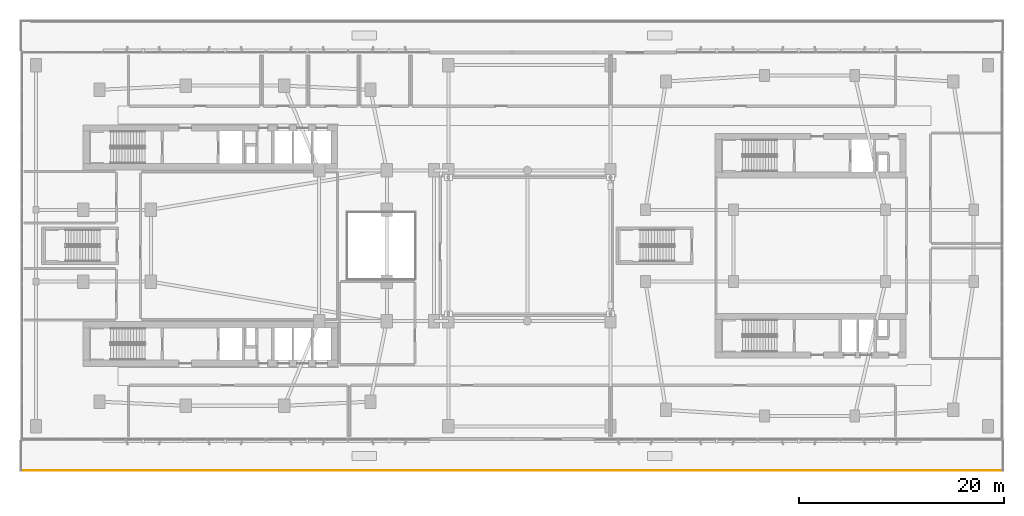
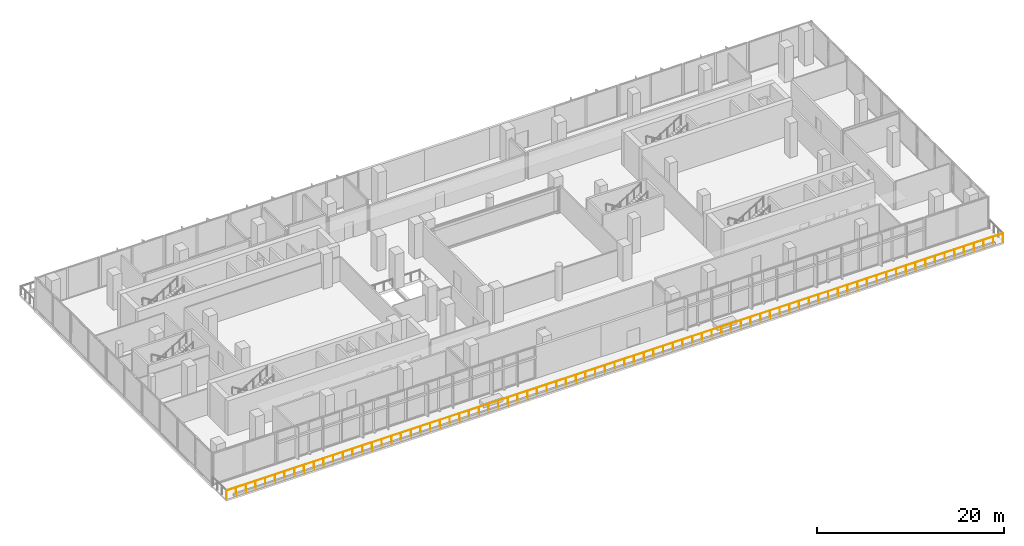
# One storey, part 23 of 31: 1 railing.
"""IFC4 building model written with IfcOpenShell, lengths in metres."""

import ifcopenshell
import ifcopenshell.guid

model = None  # the IFC model being written
_history = None  # IfcOwnerHistory: only IFC2X3 demands one
_inside = {}  # id of a spatial element -> (the spatial element, [elements in it])
_under = {}  # id of a project, library or spatial element -> (it, [spatial elements below it])
_declared = {}  # id of a project -> (the project, [libraries it declares])
_typed = {}  # id of a type object -> (the type object, [elements of that type])
_made_of = {}  # id of a material, layer set ... -> (it, [elements and type objects made of it])


def new_model(schema):
    """Start an empty IFC model of exactly this schema.

    Asked for "IFC4X3", IfcOpenShell would pick the latest addendum, in which some entities
    have other attributes; the version numbers below select the first issue.
    IFC2X3 requires an IfcOwnerHistory on every rooted entity: one is made here for all.
    """
    global model, _history
    if schema == "IFC4X3":
        model = ifcopenshell.file(schema_version=(4, 3, 0, 0))
    else:
        model = ifcopenshell.file(schema=schema)
    _inside.clear()
    _under.clear()
    _declared.clear()
    _typed.clear()
    _made_of.clear()
    _history = None
    if model.schema == "IFC2X3":
        org = make("IfcOrganization", Name="unknown")
        user = make(
            "IfcPersonAndOrganization",
            ThePerson=make("IfcPerson", FamilyName="unknown"),
            TheOrganization=org,
        )
        app = make(
            "IfcApplication",
            ApplicationDeveloper=org,
            Version="unknown",
            ApplicationFullName="unknown",
            ApplicationIdentifier="unknown",
        )
        _history = make(
            "IfcOwnerHistory",
            OwningUser=user,
            OwningApplication=app,
            ChangeAction="ADDED",
            CreationDate=0,
        )
    return model


def make(cls, **values):
    """One entity of the class cls with the attributes given. An attribute that is None is left unset."""
    return model.create_entity(
        cls, **{name: value for name, value in values.items() if value is not None}
    )


def rooted(cls, **values):
    """An entity with a GlobalId (a new one), such as an element, a storey or a relation."""
    return make(cls, GlobalId=ifcopenshell.guid.new(), OwnerHistory=_history, **values)


def si_unit(unit_type, name, prefix=None):
    """IfcSIUnit, for example si_unit("LENGTHUNIT", "METRE", prefix="MILLI")."""
    return make("IfcSIUnit", UnitType=unit_type, Prefix=prefix, Name=name)


def derived_unit(unit_type, elements):
    """IfcDerivedUnit: a product of units, each with its exponent."""
    return make(
        "IfcDerivedUnit",
        Elements=[
            make("IfcDerivedUnitElement", Unit=unit, Exponent=power)
            for unit, power in elements
        ],
        UnitType=unit_type,
    )


def assignment(units):
    """IfcUnitAssignment: the units of a project."""
    return None if units is None else make("IfcUnitAssignment", Units=units)


def point(xyz):
    """IfcCartesianPoint."""
    return None if xyz is None else make("IfcCartesianPoint", Coordinates=xyz)


def direction(xyz):
    """IfcDirection."""
    return None if xyz is None else make("IfcDirection", DirectionRatios=xyz)


def frame(location, z_axis=None, x_axis=None):
    """IfcAxis2Placement3D, a coordinate frame: its origin and axes. An axis left out is left unset."""
    return make(
        "IfcAxis2Placement3D",
        Location=point(location),
        Axis=direction(z_axis),
        RefDirection=direction(x_axis),
    )


def frame_2d(location, x_axis=None):
    """IfcAxis2Placement2D, a coordinate frame in the plane: its origin and x axis."""
    return make(
        "IfcAxis2Placement2D", Location=point(location), RefDirection=direction(x_axis)
    )


def origin():
    """The frame at (0, 0, 0) with its axes left unset."""
    return frame((0.0, 0.0, 0.0))


def origin_2d():
    """The frame at (0, 0) in the plane with its x axis left unset."""
    return frame_2d((0.0, 0.0))


def place(relative_to, where):
    """IfcLocalPlacement: puts the frame where relative to a parent placement (None: the world)."""
    return make(
        "IfcLocalPlacement", PlacementRelTo=relative_to, RelativePlacement=where
    )


def context(
    kind, dimensions, precision=None, world=None, true_north=None, identifier=None
):
    """IfcGeometricRepresentationContext, for example the 3D "Model" context."""
    return make(
        "IfcGeometricRepresentationContext",
        ContextIdentifier=identifier,
        ContextType=kind,
        CoordinateSpaceDimension=dimensions,
        Precision=precision,
        WorldCoordinateSystem=world,
        TrueNorth=true_north,
    )


def subcontext(parent, identifier, kind, view, scale=None):
    """IfcGeometricRepresentationSubContext, for example "Body" below "Model"."""
    return make(
        "IfcGeometricRepresentationSubContext",
        ContextIdentifier=identifier,
        ContextType=kind,
        ParentContext=parent,
        TargetScale=scale,
        TargetView=view,
    )


def project(units=None, contexts=None):
    """IfcProject with its units and contexts."""
    return rooted(
        "IfcProject",
        Name="project",
        RepresentationContexts=contexts,
        UnitsInContext=assignment(units),
    )


def spatial(cls, under=None, at=None, **own):
    """A site, building, storey or space (cls), placed at a placement, below another one or the project."""
    s = rooted(cls, ObjectPlacement=at, **own)
    if under is not None:
        _under.setdefault(under.id(), (under, []))[1].append(s)
    return s


def profile(cls, at=None, kind="AREA", **sizes):
    """A parametric profile (cls). Its sizes go by their IFC names, for example OverallWidth=200.0."""
    return make(cls, ProfileType=kind, Position=at, **sizes)


def circle(**sizes):
    """IfcCircleProfileDef."""
    return profile("IfcCircleProfileDef", **sizes)


def extrude(swept, where, along, depth):
    """IfcExtrudedAreaSolid: the profile swept, set in the frame where, extruded along a direction by depth."""
    return make(
        "IfcExtrudedAreaSolid",
        SweptArea=swept,
        Position=where,
        ExtrudedDirection=direction(along),
        Depth=depth,
    )


def shape(context_of_items, identifier, shape_type, items):
    """IfcShapeRepresentation: the items that make up one representation, for example the "Body"."""
    return make(
        "IfcShapeRepresentation",
        ContextOfItems=context_of_items,
        RepresentationIdentifier=identifier,
        RepresentationType=shape_type,
        Items=items,
    )


def material(Name=None, Category=None):
    """IfcMaterial."""
    return make("IfcMaterial", Name=Name, Category=Category)


def made_of(thing, what):
    """Note that an element or type object is made of a material, layer set ...; save() writes the relation."""
    if what is not None:
        _made_of.setdefault(what.id(), (what, []))[1].append(thing)
    return thing


def type_object(cls, material=None, **own):
    """A type object (cls), such as IfcWallType, which elements share."""
    return made_of(rooted(cls, **own), material)


def element(
    cls,
    number,
    at=None,
    inside=None,
    cuts=None,
    type_object=None,
    material=None,
    context=None,
    identifier="Body",
    shape_type=None,
    held_by="IfcProductDefinitionShape",
    body=None,
    shapes=None,
    **own,
):
    """One element of the class cls, such as IfcWall. Its Tag is "e" and its number.

    at: its placement. inside: the storey or other place that contains it. cuts: it is an
    opening in that element (IfcRelVoidsElement). A single representation is given by context,
    identifier, shape_type and body (its items); several are given by shapes. held_by: the class
    of the entity that holds the representations. save() writes the other relations.
    """
    e = rooted(cls, Tag="e%d" % number, ObjectPlacement=at, **own)
    if body is not None:
        shapes = [shape(context, identifier, shape_type, body)]
    if shapes is not None:
        e.Representation = make(held_by, Representations=shapes)
    if inside is not None:
        _inside.setdefault(inside.id(), (inside, []))[1].append(e)
    if cuts is not None:
        rooted(
            "IfcRelVoidsElement", RelatingBuildingElement=cuts, RelatedOpeningElement=e
        )
    if type_object is not None:
        _typed.setdefault(type_object.id(), (type_object, []))[1].append(e)
    return made_of(e, material)


def aggregate(whole, parts):
    """IfcRelAggregates: a whole, such as a stair, and the parts it consists of."""
    return rooted("IfcRelAggregates", RelatingObject=whole, RelatedObjects=parts)


def save(model, path):
    """Write the relations noted so far, then the file.

    IfcRelAggregates (storeys below a building ...), IfcRelContainedInSpatialStructure (elements
    in a storey), IfcRelDefinesByType, IfcRelAssociatesMaterial and IfcRelDeclares: one each for
    every whole, place, type object, material and project.
    """
    for whole, parts in _under.values():
        aggregate(whole, parts)
    for where, things in _inside.values():
        rooted(
            "IfcRelContainedInSpatialStructure",
            RelatedElements=things,
            RelatingStructure=where,
        )
    for kind, things in _typed.values():
        rooted("IfcRelDefinesByType", RelatedObjects=things, RelatingType=kind)
    for what, things in _made_of.values():
        rooted("IfcRelAssociatesMaterial", RelatedObjects=things, RelatingMaterial=what)
    for by, libraries in _declared.values():
        rooted("IfcRelDeclares", RelatingContext=by, RelatedDefinitions=libraries)
    model.write(path)


model = new_model("IFC4")

# Units and contexts
model_context = context("Model", 3, precision=1e-05, world=origin(), true_north=direction((0.0, 1.0)))
body_context = subcontext(model_context, "Body", "Model", "MODEL_VIEW")
ifc_project = project(units=[si_unit("LENGTHUNIT", "METRE"), si_unit("AREAUNIT", "SQUARE_METRE"), si_unit("VOLUMEUNIT", "CUBIC_METRE"), si_unit("PLANEANGLEUNIT", "RADIAN"), si_unit("MASSUNIT", "GRAM", prefix="KILO"), derived_unit("THERMALTRANSMITTANCEUNIT", [(si_unit("POWERUNIT", "WATT"), 1), (si_unit("LENGTHUNIT", "METRE"), -2), (si_unit("THERMODYNAMICTEMPERATUREUNIT", "KELVIN"), -1)])], contexts=[model_context])

# Site, building, storey
site_placement = place(None, origin())
site = spatial("IfcSite", under=ifc_project, at=site_placement, CompositionType="ELEMENT")
building_placement = place(site_placement, origin())
building = spatial("IfcBuilding", under=site, at=building_placement, Name="Kivonza Crest Hotel", CompositionType="ELEMENT")
storey_placement = place(building_placement, frame((0.0, 0.0, 15.0)))
storey = spatial("IfcBuildingStorey", under=building, at=storey_placement, Name="L03", CompositionType="ELEMENT", Elevation=15.0)

# Railing
ifc_material = material(Name="Laminated glass and stainless steel balustrade", Category="steel")
railing_type = type_object("IfcRailingType", Name="RL-TERR-1150", PredefinedType="BALUSTRADE", material=ifc_material)
railing_placement = place(storey_placement, frame((95.840087890625, 3.080078125, 0.0)))
element("IfcRailing", 1, at=railing_placement, inside=storey, type_object=railing_type, Name="L03 POD-L03-T1 perimeter safety balustrade 3", PredefinedType="BALUSTRADE", context=body_context, shape_type="SweptSolid", body=[
    extrude(circle(Radius=0.02392578125, at=origin_2d()), frame((0.0, 0.0, 1.1259765625), z_axis=(-1.0, 0.0, 0.0), x_axis=(0.0, -1.0, 0.0)), (0.0, 0.0, 1.0), 95.68017578125),
    extrude(circle(Radius=0.02099609375, at=origin_2d()), origin(), (0.0, 0.0, 1.0), 1.101806640625),
    extrude(circle(Radius=0.02099609375, at=origin_2d()), frame((-1.196044921875, 0.0, 0.0)), (0.0, 0.0, 1.0), 1.101806640625),
    extrude(circle(Radius=0.02099609375, at=origin_2d()), frame((-2.39208984375, 0.0, 0.0)), (0.0, 0.0, 1.0), 1.101806640625),
    extrude(circle(Radius=0.02099609375, at=origin_2d()), frame((-3.587890625, 0.0, 0.0)), (0.0, 0.0, 1.0), 1.101806640625),
    extrude(circle(Radius=0.02099609375, at=origin_2d()), frame((-4.783935546875, 0.0, 0.0)), (0.0, 0.0, 1.0), 1.101806640625),
    extrude(circle(Radius=0.02099609375, at=origin_2d()), frame((-5.97998046875, 0.0, 0.0)), (0.0, 0.0, 1.0), 1.101806640625),
    extrude(circle(Radius=0.02099609375, at=origin_2d()), frame((-7.176025390625, 0.0, 0.0)), (0.0, 0.0, 1.0), 1.101806640625),
    extrude(circle(Radius=0.02099609375, at=origin_2d()), frame((-8.3720703125, 0.0, 0.0)), (0.0, 0.0, 1.0), 1.101806640625),
    extrude(circle(Radius=0.02099609375, at=origin_2d()), frame((-9.568115234375, 0.0, 0.0)), (0.0, 0.0, 1.0), 1.101806640625),
    extrude(circle(Radius=0.02099609375, at=origin_2d()), frame((-10.763916015625, 0.0, 0.0)), (0.0, 0.0, 1.0), 1.101806640625),
    extrude(circle(Radius=0.02099609375, at=origin_2d()), frame((-11.9599609375, 0.0, 0.0)), (0.0, 0.0, 1.0), 1.101806640625),
    extrude(circle(Radius=0.02099609375, at=origin_2d()), frame((-13.156005859375, 0.0, 0.0)), (0.0, 0.0, 1.0), 1.101806640625),
    extrude(circle(Radius=0.02099609375, at=origin_2d()), frame((-14.35205078125, 0.0, 0.0)), (0.0, 0.0, 1.0), 1.101806640625),
    extrude(circle(Radius=0.02099609375, at=origin_2d()), frame((-15.548095703125, 0.0, 0.0)), (0.0, 0.0, 1.0), 1.101806640625),
    extrude(circle(Radius=0.02099609375, at=origin_2d()), frame((-16.744140625, 0.0, 0.0)), (0.0, 0.0, 1.0), 1.101806640625),
    extrude(circle(Radius=0.02099609375, at=origin_2d()), frame((-17.93994140625, 0.0, 0.0)), (0.0, 0.0, 1.0), 1.101806640625),
    extrude(circle(Radius=0.02099609375, at=origin_2d()), frame((-19.135986328125, 0.0, 0.0)), (0.0, 0.0, 1.0), 1.101806640625),
    extrude(circle(Radius=0.02099609375, at=origin_2d()), frame((-20.33203125, 0.0, 0.0)), (0.0, 0.0, 1.0), 1.101806640625),
    extrude(circle(Radius=0.02099609375, at=origin_2d()), frame((-21.528076171875, 0.0, 0.0)), (0.0, 0.0, 1.0), 1.101806640625),
    extrude(circle(Radius=0.02099609375, at=origin_2d()), frame((-22.72412109375, 0.0, 0.0)), (0.0, 0.0, 1.0), 1.101806640625),
    extrude(circle(Radius=0.02099609375, at=origin_2d()), frame((-23.919921875, 0.0, 0.0)), (0.0, 0.0, 1.0), 1.101806640625),
    extrude(circle(Radius=0.02099609375, at=origin_2d()), frame((-25.115966796875, 0.0, 0.0)), (0.0, 0.0, 1.0), 1.101806640625),
    extrude(circle(Radius=0.02099609375, at=origin_2d()), frame((-26.31201171875, 0.0, 0.0)), (0.0, 0.0, 1.0), 1.101806640625),
    extrude(circle(Radius=0.02099609375, at=origin_2d()), frame((-27.508056640625, 0.0, 0.0)), (0.0, 0.0, 1.0), 1.101806640625),
    extrude(circle(Radius=0.02099609375, at=origin_2d()), frame((-28.7041015625, 0.0, 0.0)), (0.0, 0.0, 1.0), 1.101806640625),
    extrude(circle(Radius=0.02099609375, at=origin_2d()), frame((-29.900146484375, 0.0, 0.0)), (0.0, 0.0, 1.0), 1.101806640625),
    extrude(circle(Radius=0.02099609375, at=origin_2d()), frame((-31.095947265625, 0.0, 0.0)), (0.0, 0.0, 1.0), 1.101806640625),
    extrude(circle(Radius=0.02099609375, at=origin_2d()), frame((-32.2919921875, 0.0, 0.0)), (0.0, 0.0, 1.0), 1.101806640625),
    extrude(circle(Radius=0.02099609375, at=origin_2d()), frame((-33.488037109375, 0.0, 0.0)), (0.0, 0.0, 1.0), 1.101806640625),
    extrude(circle(Radius=0.02099609375, at=origin_2d()), frame((-34.68408203125, 0.0, 0.0)), (0.0, 0.0, 1.0), 1.101806640625),
    extrude(circle(Radius=0.02099609375, at=origin_2d()), frame((-35.880126953125, 0.0, 0.0)), (0.0, 0.0, 1.0), 1.101806640625),
    extrude(circle(Radius=0.02099609375, at=origin_2d()), frame((-37.076171875, 0.0, 0.0)), (0.0, 0.0, 1.0), 1.101806640625),
    extrude(circle(Radius=0.02099609375, at=origin_2d()), frame((-38.27197265625, 0.0, 0.0)), (0.0, 0.0, 1.0), 1.101806640625),
    extrude(circle(Radius=0.02099609375, at=origin_2d()), frame((-39.468017578125, 0.0, 0.0)), (0.0, 0.0, 1.0), 1.101806640625),
    extrude(circle(Radius=0.02099609375, at=origin_2d()), frame((-40.6640625, 0.0, 0.0)), (0.0, 0.0, 1.0), 1.101806640625),
    extrude(circle(Radius=0.02099609375, at=origin_2d()), frame((-41.860107421875, 0.0, 0.0)), (0.0, 0.0, 1.0), 1.101806640625),
    extrude(circle(Radius=0.02099609375, at=origin_2d()), frame((-43.05615234375, 0.0, 0.0)), (0.0, 0.0, 1.0), 1.101806640625),
    extrude(circle(Radius=0.02099609375, at=origin_2d()), frame((-44.252197265625, 0.0, 0.0)), (0.0, 0.0, 1.0), 1.101806640625),
    extrude(circle(Radius=0.02099609375, at=origin_2d()), frame((-45.447998046875, 0.0, 0.0)), (0.0, 0.0, 1.0), 1.101806640625),
    extrude(circle(Radius=0.02099609375, at=origin_2d()), frame((-46.64404296875, 0.0, 0.0)), (0.0, 0.0, 1.0), 1.101806640625),
    extrude(circle(Radius=0.02099609375, at=origin_2d()), frame((-47.840087890625, 0.0, 0.0)), (0.0, 0.0, 1.0), 1.101806640625),
    extrude(circle(Radius=0.02099609375, at=origin_2d()), frame((-49.0361328125, 0.0, 0.0)), (0.0, 0.0, 1.0), 1.101806640625),
    extrude(circle(Radius=0.02099609375, at=origin_2d()), frame((-50.232177734375, 0.0, 0.0)), (0.0, 0.0, 1.0), 1.101806640625),
    extrude(circle(Radius=0.02099609375, at=origin_2d()), frame((-51.427978515625, 0.0, 0.0)), (0.0, 0.0, 1.0), 1.101806640625),
    extrude(circle(Radius=0.02099609375, at=origin_2d()), frame((-52.6240234375, 0.0, 0.0)), (0.0, 0.0, 1.0), 1.101806640625),
    extrude(circle(Radius=0.02099609375, at=origin_2d()), frame((-53.820068359375, 0.0, 0.0)), (0.0, 0.0, 1.0), 1.101806640625),
    extrude(circle(Radius=0.02099609375, at=origin_2d()), frame((-55.01611328125, 0.0, 0.0)), (0.0, 0.0, 1.0), 1.101806640625),
    extrude(circle(Radius=0.02099609375, at=origin_2d()), frame((-56.212158203125, 0.0, 0.0)), (0.0, 0.0, 1.0), 1.101806640625),
    extrude(circle(Radius=0.02099609375, at=origin_2d()), frame((-57.408203125, 0.0, 0.0)), (0.0, 0.0, 1.0), 1.101806640625),
    extrude(circle(Radius=0.02099609375, at=origin_2d()), frame((-58.60400390625, 0.0, 0.0)), (0.0, 0.0, 1.0), 1.101806640625),
    extrude(circle(Radius=0.02099609375, at=origin_2d()), frame((-59.800048828125, 0.0, 0.0)), (0.0, 0.0, 1.0), 1.101806640625),
    extrude(circle(Radius=0.02099609375, at=origin_2d()), frame((-60.99609375, 0.0, 0.0)), (0.0, 0.0, 1.0), 1.101806640625),
    extrude(circle(Radius=0.02099609375, at=origin_2d()), frame((-62.192138671875, 0.0, 0.0)), (0.0, 0.0, 1.0), 1.101806640625),
    extrude(circle(Radius=0.02099609375, at=origin_2d()), frame((-63.38818359375, 0.0, 0.0)), (0.0, 0.0, 1.0), 1.101806640625),
    extrude(circle(Radius=0.02099609375, at=origin_2d()), frame((-64.584228515625, 0.0, 0.0)), (0.0, 0.0, 1.0), 1.101806640625),
    extrude(circle(Radius=0.02099609375, at=origin_2d()), frame((-65.780029296875, 0.0, 0.0)), (0.0, 0.0, 1.0), 1.101806640625),
    extrude(circle(Radius=0.02099609375, at=origin_2d()), frame((-66.97607421875, 0.0, 0.0)), (0.0, 0.0, 1.0), 1.101806640625),
    extrude(circle(Radius=0.02099609375, at=origin_2d()), frame((-68.172119140625, 0.0, 0.0)), (0.0, 0.0, 1.0), 1.101806640625),
    extrude(circle(Radius=0.02099609375, at=origin_2d()), frame((-69.3681640625, 0.0, 0.0)), (0.0, 0.0, 1.0), 1.101806640625),
    extrude(circle(Radius=0.02099609375, at=origin_2d()), frame((-70.564208984375, 0.0, 0.0)), (0.0, 0.0, 1.0), 1.101806640625),
    extrude(circle(Radius=0.02099609375, at=origin_2d()), frame((-71.76025390625, 0.0, 0.0)), (0.0, 0.0, 1.0), 1.101806640625),
    extrude(circle(Radius=0.02099609375, at=origin_2d()), frame((-72.9560546875, 0.0, 0.0)), (0.0, 0.0, 1.0), 1.101806640625),
    extrude(circle(Radius=0.02099609375, at=origin_2d()), frame((-74.152099609375, 0.0, 0.0)), (0.0, 0.0, 1.0), 1.101806640625),
    extrude(circle(Radius=0.02099609375, at=origin_2d()), frame((-75.34814453125, 0.0, 0.0)), (0.0, 0.0, 1.0), 1.101806640625),
    extrude(circle(Radius=0.02099609375, at=origin_2d()), frame((-76.544189453125, 0.0, 0.0)), (0.0, 0.0, 1.0), 1.101806640625),
    extrude(circle(Radius=0.02099609375, at=origin_2d()), frame((-77.740234375, 0.0, 0.0)), (0.0, 0.0, 1.0), 1.101806640625),
    extrude(circle(Radius=0.02099609375, at=origin_2d()), frame((-78.93603515625, 0.0, 0.0)), (0.0, 0.0, 1.0), 1.101806640625),
    extrude(circle(Radius=0.02099609375, at=origin_2d()), frame((-80.132080078125, 0.0, 0.0)), (0.0, 0.0, 1.0), 1.101806640625),
    extrude(circle(Radius=0.02099609375, at=origin_2d()), frame((-81.328125, 0.0, 0.0)), (0.0, 0.0, 1.0), 1.101806640625),
    extrude(circle(Radius=0.02099609375, at=origin_2d()), frame((-82.524169921875, 0.0, 0.0)), (0.0, 0.0, 1.0), 1.101806640625),
    extrude(circle(Radius=0.02099609375, at=origin_2d()), frame((-83.72021484375, 0.0, 0.0)), (0.0, 0.0, 1.0), 1.101806640625),
    extrude(circle(Radius=0.02099609375, at=origin_2d()), frame((-84.916259765625, 0.0, 0.0)), (0.0, 0.0, 1.0), 1.101806640625),
    extrude(circle(Radius=0.02099609375, at=origin_2d()), frame((-86.112060546875, 0.0, 0.0)), (0.0, 0.0, 1.0), 1.101806640625),
    extrude(circle(Radius=0.02099609375, at=origin_2d()), frame((-87.30810546875, 0.0, 0.0)), (0.0, 0.0, 1.0), 1.101806640625),
    extrude(circle(Radius=0.02099609375, at=origin_2d()), frame((-88.504150390625, 0.0, 0.0)), (0.0, 0.0, 1.0), 1.101806640625),
    extrude(circle(Radius=0.02099609375, at=origin_2d()), frame((-89.7001953125, 0.0, 0.0)), (0.0, 0.0, 1.0), 1.101806640625),
    extrude(circle(Radius=0.02099609375, at=origin_2d()), frame((-90.896240234375, 0.0, 0.0)), (0.0, 0.0, 1.0), 1.101806640625),
    extrude(circle(Radius=0.02099609375, at=origin_2d()), frame((-92.09228515625, 0.0, 0.0)), (0.0, 0.0, 1.0), 1.101806640625),
    extrude(circle(Radius=0.02099609375, at=origin_2d()), frame((-93.2880859375, 0.0, 0.0)), (0.0, 0.0, 1.0), 1.101806640625),
    extrude(circle(Radius=0.02099609375, at=origin_2d()), frame((-94.484130859375, 0.0, 0.0)), (0.0, 0.0, 1.0), 1.101806640625),
    extrude(circle(Radius=0.02099609375, at=origin_2d()), frame((-95.68017578125, 0.0, 0.0)), (0.0, 0.0, 1.0), 1.101806640625),
])

save(model, "model.ifc")
